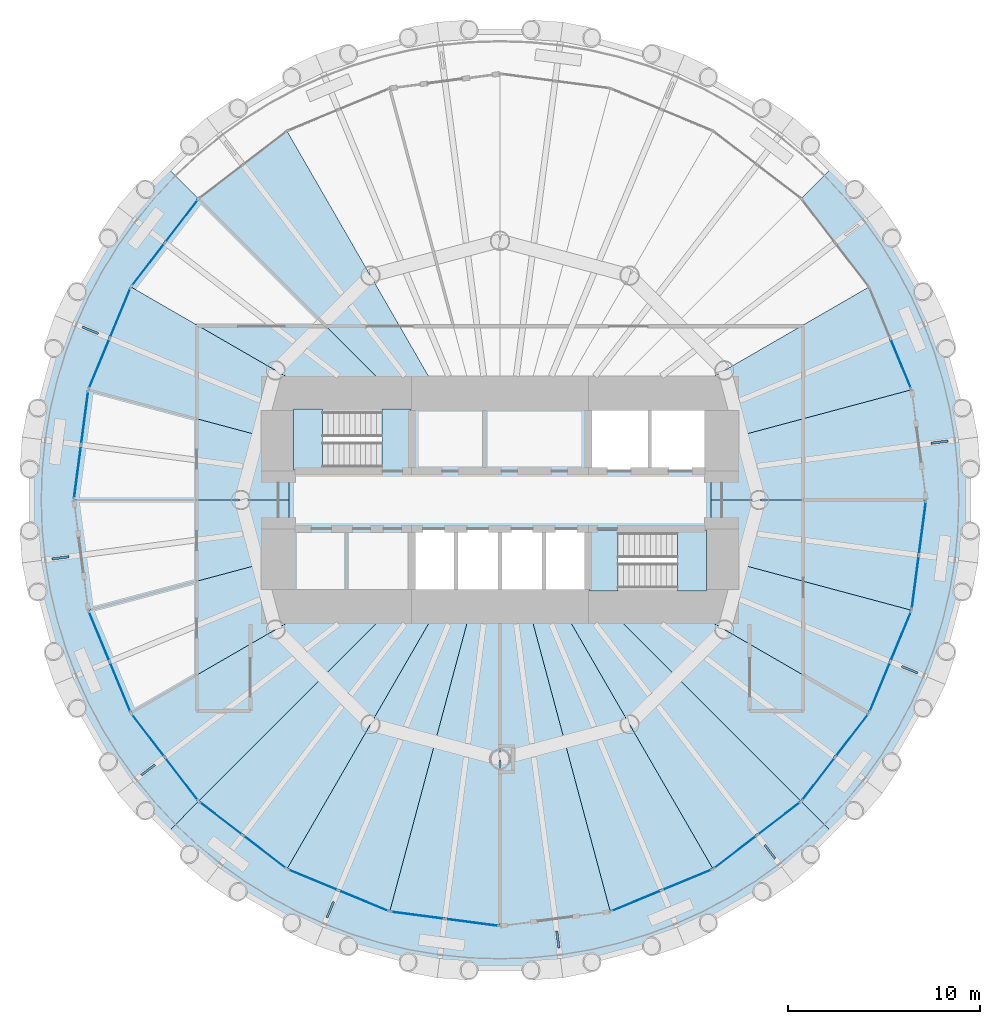
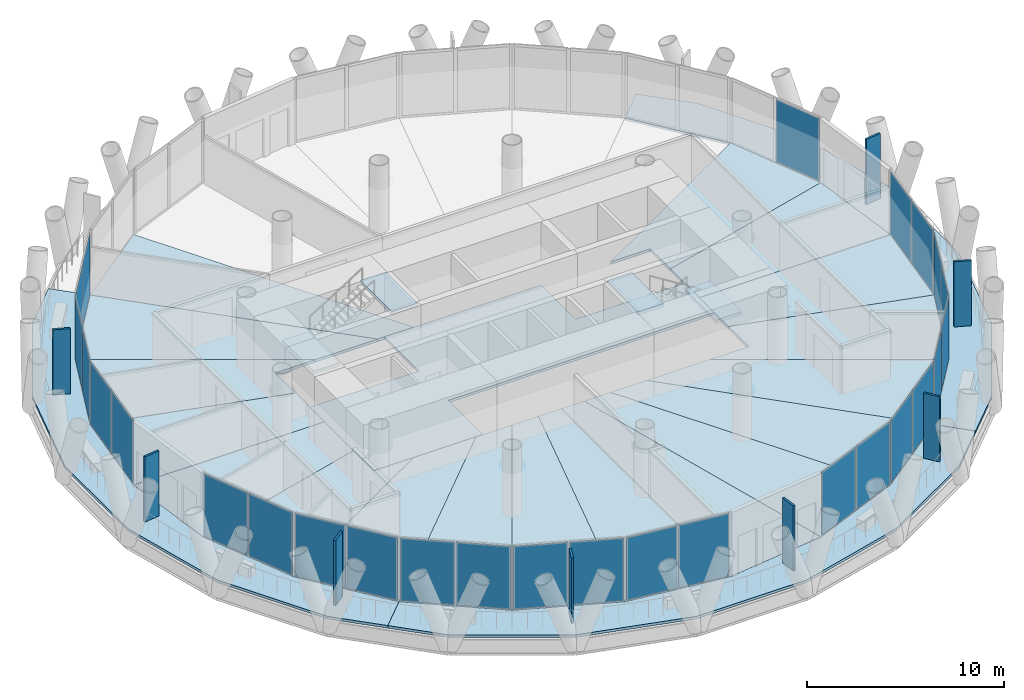
# One storey, part 7 of 14: 35 plates, 26 slabs, 16 elements without a shape of their own.
"""IFC4 building model written with IfcOpenShell, lengths in metres."""

from ifc_helpers import new_model, si_unit, direction, frame, origin, origin_2d, place, context, subcontext, project, spatial, polyline, rectangle, outline, extrude, material, layer, layer_set, type_object, element, aggregate, save


model = new_model("IFC4")

# Units and contexts
model_context = context("Model", 3, precision=1e-05, world=origin(), true_north=direction((0.0, 1.0)))
body_context = subcontext(model_context, "Body", "Model", "MODEL_VIEW")
ifc_project = project(units=[si_unit("LENGTHUNIT", "METRE"), si_unit("AREAUNIT", "SQUARE_METRE"), si_unit("VOLUMEUNIT", "CUBIC_METRE"), si_unit("PLANEANGLEUNIT", "RADIAN"), si_unit("MASSUNIT", "GRAM", prefix="KILO")], contexts=[model_context])

# Site, building, storey
site_placement = place(None, origin())
site = spatial("IfcSite", under=ifc_project, at=site_placement, CompositionType="ELEMENT")
building_placement = place(site_placement, origin())
building = spatial("IfcBuilding", under=site, at=building_placement, Name="Qaws Media Tower", CompositionType="ELEMENT")
storey_placement = place(building_placement, frame((0.0, 0.0, 168.800048828125)))
storey = spatial("IfcBuildingStorey", under=building, at=storey_placement, Name="L38", CompositionType="ELEMENT", Elevation=168.800048828125)

# Slabs
ifc_material_1 = material(Name="Concrete C35/45", Category="concrete")
ifc_layer_1 = layer(ifc_material_1, 0.159912109375)
ifc_layer_set_1 = layer_set([ifc_layer_1], Name="Composite balcony slab 160")
slab_type_1 = type_object("IfcSlabType", Name="Composite balcony slab 160", PredefinedType="FLOOR", material=ifc_layer_set_1)
slab_1_placement = place(storey_placement, frame((0.0, 0.0, -0.16015625)))
element("IfcSlab", 1, at=slab_1_placement, inside=storey, type_object=slab_type_1, Name="S2 balcony slab L38 R10 to R16, movement joints on R10 and R16", PredefinedType="FLOOR", context=body_context, shape_type="SweptSolid", body=[
    extrude(outline(polyline([(40.4833984375, 35.0244140625), (37.272705078125, 40.5859375), (35.610595703125, 46.7890625), (35.610595703125, 53.2109375), (37.272705078125, 59.4140625), (40.4833984375, 64.9755859375), (42.75390625, 67.24609375), (44.30224609375, 65.69775390625), (40.774169921875, 61.10009765625), (38.556396484375, 55.745849609375), (37.800048828125, 50.0), (38.556396484375, 44.254150390625), (40.774169921875, 38.89990234375), (44.30224609375, 34.30224609375), (42.75390625, 32.75390625), (40.4833984375, 35.0244140625)])), origin(), (0.0, 0.0, 1.0), 0.16015625),
])
slab_2_placement = place(storey_placement, frame((0.0, 0.0, -0.16015625)))
element("IfcSlab", 2, at=slab_2_placement, inside=storey, type_object=slab_type_1, Name="S2 balcony slab L38 R16 to R22, movement joints on R16 and R22", PredefinedType="FLOOR", context=body_context, shape_type="SweptSolid", body=[
    extrude(outline(polyline([(74.9755859375, 30.4833984375), (69.4140625, 27.272705078125), (63.2109375, 25.610595703125), (56.7890625, 25.610595703125), (50.5859375, 27.272705078125), (45.0244140625, 30.4833984375), (42.75390625, 32.75390625), (44.30224609375, 34.30224609375), (48.89990234375, 30.774169921875), (54.254150390625, 28.556396484375), (60.0, 27.800048828125), (65.745849609375, 28.556396484375), (71.10009765625, 30.774169921875), (75.69775390625, 34.30224609375), (77.24609375, 32.75390625), (74.9755859375, 30.4833984375)])), origin(), (0.0, 0.0, 1.0), 0.16015625),
])
slab_3_placement = place(storey_placement, frame((0.0, 0.0, -0.16015625)))
element("IfcSlab", 3, at=slab_3_placement, inside=storey, type_object=slab_type_1, Name="S2 balcony slab L38 R22 to R04, movement joints on R22 and R04", PredefinedType="FLOOR", context=body_context, shape_type="SweptSolid", body=[
    extrude(outline(polyline([(82.727294921875, 40.5859375), (79.5166015625, 35.0244140625), (77.24609375, 32.75390625), (75.69775390625, 34.30224609375), (79.225830078125, 38.89990234375), (81.443603515625, 44.254150390625), (82.199951171875, 50.0), (81.443603515625, 55.745849609375), (79.225830078125, 61.10009765625), (75.69775390625, 65.69775390625), (77.24609375, 67.24609375), (79.5166015625, 64.9755859375), (82.727294921875, 59.4140625), (84.389404296875, 53.2109375), (84.389404296875, 46.7890625), (82.727294921875, 40.5859375)])), origin(), (0.0, 0.0, 1.0), 0.16015625),
])
ifc_material_2 = material(Name="Concrete C35/45", Category="concrete")
ifc_layer_2 = layer(ifc_material_2, 0.159912109375)
ifc_layer_set_2 = layer_set([ifc_layer_2], Name="Composite floor slab 160")
slab_type_2 = type_object("IfcSlabType", Name="Composite floor slab 160", PredefinedType="FLOOR", material=ifc_layer_set_2)
slab_4_placement = place(storey_placement, frame((0.0, 0.0, -0.16015625)))
element("IfcSlab", 4, at=slab_4_placement, inside=storey, type_object=slab_type_2, Name="S1 core floor slab L38", PredefinedType="FLOOR", context=body_context, shape_type="SweptSolid", body=[
    extrude(outline(polyline([(71.0, 51.5), (71.0, 48.5), (55.39990234375, 48.5), (55.39990234375, 45.0), (49.0, 45.0), (49.0, 51.5), (55.39990234375, 51.5), (55.39990234375, 55.0), (64.60009765625, 55.0), (64.60009765625, 51.5), (71.0, 51.5)])), origin(), (0.0, 0.0, 1.0), 0.16015625),
])
slab_5_placement = place(storey_placement, frame((0.0, 0.0, -0.16015625)))
element("IfcSlab", 5, at=slab_5_placement, inside=storey, type_object=slab_type_2, Name="S1 floor panel L38 on R01+7.5", PredefinedType="FLOOR", context=body_context, shape_type="SweptSolid", body=[
    extrude(outline(polyline([(82.199951171875, 50.0), (71.0, 50.0), (71.0, 52.947509765625), (81.443603515625, 55.745849609375), (82.199951171875, 50.0)])), origin(), (0.0, 0.0, 1.0), 0.16015625),
])
slab_6_placement = place(storey_placement, frame((0.0, 0.0, -0.16015625)))
element("IfcSlab", 6, at=slab_6_placement, inside=storey, type_object=slab_type_2, Name="S1 floor panel L38 on R02+7.5", PredefinedType="FLOOR", context=body_context, shape_type="SweptSolid", body=[
    extrude(outline(polyline([(79.225830078125, 61.10009765625), (81.443603515625, 55.745849609375), (71.0, 52.947509765625), (71.0, 55.0), (68.660400390625, 55.0), (79.225830078125, 61.10009765625)])), origin(), (0.0, 0.0, 1.0), 0.16015625),
])
slab_7_placement = place(storey_placement, frame((0.0, 0.0, -0.16015625)))
element("IfcSlab", 7, at=slab_7_placement, inside=storey, type_object=slab_type_2, Name="S1 floor panel L38 on R09+7.5", PredefinedType="FLOOR", context=body_context, shape_type="SweptSolid", body=[
    extrude(outline(polyline([(48.89990234375, 69.225830078125), (57.11328125, 55.0), (55.0, 55.0), (44.30224609375, 65.69775390625), (48.89990234375, 69.225830078125)])), origin(), (0.0, 0.0, 1.0), 0.16015625),
])
slab_8_placement = place(storey_placement, frame((0.0, 0.0, -0.16015625)))
element("IfcSlab", 8, at=slab_8_placement, inside=storey, type_object=slab_type_2, Name="S1 floor panel L38 on R10+7.5", PredefinedType="FLOOR", context=body_context, shape_type="SweptSolid", body=[
    extrude(outline(polyline([(44.30224609375, 65.69775390625), (55.0, 55.0), (51.339599609375, 55.0), (40.774169921875, 61.10009765625), (44.30224609375, 65.69775390625)])), origin(), (0.0, 0.0, 1.0), 0.16015625),
])
slab_9_placement = place(storey_placement, frame((0.0, 0.0, -0.16015625)))
element("IfcSlab", 9, at=slab_9_placement, inside=storey, type_object=slab_type_2, Name="S1 floor panel L38 on R11+7.5", PredefinedType="FLOOR", context=body_context, shape_type="SweptSolid", body=[
    extrude(outline(polyline([(38.556396484375, 55.745849609375), (40.774169921875, 61.10009765625), (51.339599609375, 55.0), (49.0, 55.0), (49.0, 52.947509765625), (38.556396484375, 55.745849609375)])), origin(), (0.0, 0.0, 1.0), 0.16015625),
])
slab_10_placement = place(storey_placement, frame((0.0, 0.0, -0.16015625)))
element("IfcSlab", 10, at=slab_10_placement, inside=storey, type_object=slab_type_2, Name="S1 floor panel L38 on R12+7.5", PredefinedType="FLOOR", context=body_context, shape_type="SweptSolid", body=[
    extrude(outline(polyline([(38.556396484375, 55.745849609375), (49.0, 52.947509765625), (49.0, 50.0), (37.800048828125, 50.0), (38.556396484375, 55.745849609375)])), origin(), (0.0, 0.0, 1.0), 0.16015625),
])
slab_11_placement = place(storey_placement, frame((0.0, 0.0, -0.16015625)))
element("IfcSlab", 11, at=slab_11_placement, inside=storey, type_object=slab_type_2, Name="S1 floor panel L38 on R13+7.5", PredefinedType="FLOOR", context=body_context, shape_type="SweptSolid", body=[
    extrude(outline(polyline([(37.800048828125, 50.0), (49.0, 50.0), (49.0, 47.052490234375), (38.556396484375, 44.254150390625), (37.800048828125, 50.0)])), origin(), (0.0, 0.0, 1.0), 0.16015625),
])
slab_12_placement = place(storey_placement, frame((0.0, 0.0, -0.16015625)))
element("IfcSlab", 12, at=slab_12_placement, inside=storey, type_object=slab_type_2, Name="S1 floor panel L38 on R14+7.5", PredefinedType="FLOOR", context=body_context, shape_type="SweptSolid", body=[
    extrude(outline(polyline([(40.774169921875, 38.89990234375), (38.556396484375, 44.254150390625), (49.0, 47.052490234375), (49.0, 45.0), (51.339599609375, 45.0), (40.774169921875, 38.89990234375)])), origin(), (0.0, 0.0, 1.0), 0.16015625),
])
slab_13_placement = place(storey_placement, frame((0.0, 0.0, -0.16015625)))
element("IfcSlab", 13, at=slab_13_placement, inside=storey, type_object=slab_type_2, Name="S1 floor panel L38 on R15+7.5", PredefinedType="FLOOR", context=body_context, shape_type="SweptSolid", body=[
    extrude(outline(polyline([(40.774169921875, 38.89990234375), (51.339599609375, 45.0), (55.0, 45.0), (44.30224609375, 34.30224609375), (40.774169921875, 38.89990234375)])), origin(), (0.0, 0.0, 1.0), 0.16015625),
])
slab_14_placement = place(storey_placement, frame((0.0, 0.0, -0.16015625)))
element("IfcSlab", 14, at=slab_14_placement, inside=storey, type_object=slab_type_2, Name="S1 floor panel L38 on R16+7.5", PredefinedType="FLOOR", context=body_context, shape_type="SweptSolid", body=[
    extrude(outline(polyline([(44.30224609375, 34.30224609375), (55.0, 45.0), (57.11328125, 45.0), (48.89990234375, 30.774169921875), (44.30224609375, 34.30224609375)])), origin(), (0.0, 0.0, 1.0), 0.16015625),
])
slab_15_placement = place(storey_placement, frame((0.0, 0.0, -0.16015625)))
element("IfcSlab", 15, at=slab_15_placement, inside=storey, type_object=slab_type_2, Name="S1 floor panel L38 on R17+7.5", PredefinedType="FLOOR", context=body_context, shape_type="SweptSolid", body=[
    extrude(outline(polyline([(54.254150390625, 28.556396484375), (48.89990234375, 30.774169921875), (57.11328125, 45.0), (58.660400390625, 45.0), (54.254150390625, 28.556396484375)])), origin(), (0.0, 0.0, 1.0), 0.16015625),
])
slab_16_placement = place(storey_placement, frame((0.0, 0.0, -0.16015625)))
element("IfcSlab", 16, at=slab_16_placement, inside=storey, type_object=slab_type_2, Name="S1 floor panel L38 on R18+7.5", PredefinedType="FLOOR", context=body_context, shape_type="SweptSolid", body=[
    extrude(outline(polyline([(54.254150390625, 28.556396484375), (58.660400390625, 45.0), (60.0, 45.0), (60.0, 27.800048828125), (54.254150390625, 28.556396484375)])), origin(), (0.0, 0.0, 1.0), 0.16015625),
])
slab_17_placement = place(storey_placement, frame((0.0, 0.0, -0.16015625)))
element("IfcSlab", 17, at=slab_17_placement, inside=storey, type_object=slab_type_2, Name="S1 floor panel L38 on R19+7.5", PredefinedType="FLOOR", context=body_context, shape_type="SweptSolid", body=[
    extrude(outline(polyline([(60.0, 27.800048828125), (60.0, 45.0), (61.339599609375, 45.0), (65.745849609375, 28.556396484375), (60.0, 27.800048828125)])), origin(), (0.0, 0.0, 1.0), 0.16015625),
])
slab_18_placement = place(storey_placement, frame((0.0, 0.0, -0.16015625)))
element("IfcSlab", 18, at=slab_18_placement, inside=storey, type_object=slab_type_2, Name="S1 floor panel L38 on R20+7.5", PredefinedType="FLOOR", context=body_context, shape_type="SweptSolid", body=[
    extrude(outline(polyline([(71.10009765625, 30.774169921875), (65.745849609375, 28.556396484375), (61.339599609375, 45.0), (62.88671875, 45.0), (71.10009765625, 30.774169921875)])), origin(), (0.0, 0.0, 1.0), 0.16015625),
])
slab_19_placement = place(storey_placement, frame((0.0, 0.0, -0.16015625)))
element("IfcSlab", 19, at=slab_19_placement, inside=storey, type_object=slab_type_2, Name="S1 floor panel L38 on R21+7.5", PredefinedType="FLOOR", context=body_context, shape_type="SweptSolid", body=[
    extrude(outline(polyline([(71.10009765625, 30.774169921875), (62.88671875, 45.0), (65.0, 45.0), (75.69775390625, 34.30224609375), (71.10009765625, 30.774169921875)])), origin(), (0.0, 0.0, 1.0), 0.16015625),
])
slab_20_placement = place(storey_placement, frame((0.0, 0.0, -0.16015625)))
element("IfcSlab", 20, at=slab_20_placement, inside=storey, type_object=slab_type_2, Name="S1 floor panel L38 on R22+7.5", PredefinedType="FLOOR", context=body_context, shape_type="SweptSolid", body=[
    extrude(outline(polyline([(75.69775390625, 34.30224609375), (65.0, 45.0), (68.660400390625, 45.0), (79.225830078125, 38.89990234375), (75.69775390625, 34.30224609375)])), origin(), (0.0, 0.0, 1.0), 0.16015625),
])
slab_21_placement = place(storey_placement, frame((0.0, 0.0, -0.16015625)))
element("IfcSlab", 21, at=slab_21_placement, inside=storey, type_object=slab_type_2, Name="S1 floor panel L38 on R23+7.5", PredefinedType="FLOOR", context=body_context, shape_type="SweptSolid", body=[
    extrude(outline(polyline([(81.443603515625, 44.254150390625), (79.225830078125, 38.89990234375), (68.660400390625, 45.0), (71.0, 45.0), (71.0, 47.052490234375), (81.443603515625, 44.254150390625)])), origin(), (0.0, 0.0, 1.0), 0.16015625),
])
slab_22_placement = place(storey_placement, frame((0.0, 0.0, -0.16015625)))
element("IfcSlab", 22, at=slab_22_placement, inside=storey, type_object=slab_type_2, Name="S1 floor panel L38 on R24+7.5", PredefinedType="FLOOR", context=body_context, shape_type="SweptSolid", body=[
    extrude(outline(polyline([(81.443603515625, 44.254150390625), (71.0, 47.052490234375), (71.0, 50.0), (82.199951171875, 50.0), (81.443603515625, 44.254150390625)])), origin(), (0.0, 0.0, 1.0), 0.16015625),
])

# Curtain wall, plate
ifc_material_3 = material(Name="Aluminium and clear glass", Category="aluminium")
curtain_wall_type = type_object("IfcCurtainWallType", Name="Unitised curtain wall CW-B", PredefinedType="NOTDEFINED", material=ifc_material_3)
curtain_wall_1_placement = place(storey_placement, origin())
curtain_wall_1 = element("IfcCurtainWall", 23, at=curtain_wall_1_placement, inside=storey, type_object=curtain_wall_type, Name="CWB curtain wall L38-02", PredefinedType="NOTDEFINED")
ifc_material_4 = material(Name="Clear laminated double glazing", Category="glass")
ifc_layer_3 = layer(ifc_material_4, 0.031982421875)
ifc_layer_set_3 = layer_set([ifc_layer_3], Name="Curtain wall glass unit 32")
plate_type_1 = type_object("IfcPlateType", Name="Curtain wall glass unit 32", PredefinedType="CURTAIN_PANEL", material=ifc_layer_set_3)
plate_1_placement = place(storey_placement, frame((80.88134765625, 57.102783203125, 0.080078125), z_axis=(0.0, 0.0, 1.0), x_axis=(-0.382683388586, 0.923879550645, 0.0)))
plate_1 = element("IfcPlate", 24, at=plate_1_placement, type_object=plate_type_1, Name="CWB panel 1.1", PredefinedType="CURTAIN_PANEL", context=body_context, shape_type="SweptSolid", body=[
    extrude(rectangle(XDim=2.777587890625, YDim=0.031982421875, at=origin_2d()), origin(), (0.0, 0.0, 1.0), 3.8798828125),
])
aggregate(curtain_wall_1, [plate_1])

# Curtain wall, plates
curtain_wall_2_placement = place(storey_placement, origin())
curtain_wall_2 = element("IfcCurtainWall", 25, at=curtain_wall_2_placement, inside=storey, type_object=curtain_wall_type, Name="CWB curtain wall L38-10", PredefinedType="NOTDEFINED")
plate_2_placement = place(storey_placement, frame((43.407958984375, 64.532470703125, 0.080078125), z_axis=(0.0, 0.0, 1.0), x_axis=(-0.60876134507, -0.793353404699, 0.0)))
plate_2 = element("IfcPlate", 26, at=plate_2_placement, type_object=plate_type_1, Name="CWB panel 1.1", PredefinedType="CURTAIN_PANEL", context=body_context, shape_type="SweptSolid", body=[
    extrude(rectangle(XDim=2.777587890625, YDim=0.031982421875, at=origin_2d()), origin(), (0.0, 0.0, 1.0), 3.8798828125),
])
plate_3_placement = place(storey_placement, frame((41.66845703125, 62.265380859375, 0.080078125), z_axis=(0.0, 0.0, 1.0), x_axis=(-0.60876134507, -0.793353404699, 0.0)))
plate_3 = element("IfcPlate", 27, at=plate_3_placement, type_object=plate_type_1, Name="CWB panel 2.1", PredefinedType="CURTAIN_PANEL", context=body_context, shape_type="SweptSolid", body=[
    extrude(rectangle(XDim=2.777587890625, YDim=0.031982421875, at=origin_2d()), origin(), (0.0, 0.0, 1.0), 3.8798828125),
])
aggregate(curtain_wall_2, [plate_2, plate_3])

curtain_wall_3_placement = place(storey_placement, origin())
curtain_wall_3 = element("IfcCurtainWall", 28, at=curtain_wall_3_placement, inside=storey, type_object=curtain_wall_type, Name="CWB curtain wall L38-11", PredefinedType="NOTDEFINED")
plate_4_placement = place(storey_placement, frame((40.212158203125, 59.742919921875, 0.080078125), z_axis=(0.0, 0.0, 1.0), x_axis=(-0.382683388586, -0.923879550645, 0.0)))
plate_4 = element("IfcPlate", 29, at=plate_4_placement, type_object=plate_type_1, Name="CWB panel 1.1", PredefinedType="CURTAIN_PANEL", context=body_context, shape_type="SweptSolid", body=[
    extrude(rectangle(XDim=2.777587890625, YDim=0.031982421875, at=origin_2d()), origin(), (0.0, 0.0, 1.0), 3.8798828125),
])
plate_5_placement = place(storey_placement, frame((39.11865234375, 57.102783203125, 0.080078125), z_axis=(0.0, 0.0, 1.0), x_axis=(-0.382683388586, -0.923879550645, 0.0)))
plate_5 = element("IfcPlate", 30, at=plate_5_placement, type_object=plate_type_1, Name="CWB panel 2.1", PredefinedType="CURTAIN_PANEL", context=body_context, shape_type="SweptSolid", body=[
    extrude(rectangle(XDim=2.777587890625, YDim=0.031982421875, at=origin_2d()), origin(), (0.0, 0.0, 1.0), 3.8798828125),
])
aggregate(curtain_wall_3, [plate_4, plate_5])

curtain_wall_4_placement = place(storey_placement, origin())
curtain_wall_4 = element("IfcCurtainWall", 31, at=curtain_wall_4_placement, inside=storey, type_object=curtain_wall_type, Name="CWB curtain wall L38-12", PredefinedType="NOTDEFINED")
plate_6_placement = place(storey_placement, frame((38.36474609375, 54.28955078125, 0.080078125), z_axis=(0.0, 0.0, 1.0), x_axis=(-0.13052624607, -0.991444854284, 0.0)))
plate_6 = element("IfcPlate", 32, at=plate_6_placement, type_object=plate_type_1, Name="CWB panel 1.1", PredefinedType="CURTAIN_PANEL", context=body_context, shape_type="SweptSolid", body=[
    extrude(rectangle(XDim=2.777587890625, YDim=0.031982421875, at=origin_2d()), origin(), (0.0, 0.0, 1.0), 3.8798828125),
])
plate_7_placement = place(storey_placement, frame((37.99169921875, 51.456298828125, 0.080078125), z_axis=(0.0, 0.0, 1.0), x_axis=(-0.13052624607, -0.991444854284, 0.0)))
plate_7 = element("IfcPlate", 33, at=plate_7_placement, type_object=plate_type_1, Name="CWB panel 2.1", PredefinedType="CURTAIN_PANEL", context=body_context, shape_type="SweptSolid", body=[
    extrude(rectangle(XDim=2.777587890625, YDim=0.031982421875, at=origin_2d()), origin(), (0.0, 0.0, 1.0), 3.8798828125),
])
aggregate(curtain_wall_4, [plate_6, plate_7])

curtain_wall_5_placement = place(storey_placement, origin())
curtain_wall_5 = element("IfcCurtainWall", 34, at=curtain_wall_5_placement, inside=storey, type_object=curtain_wall_type, Name="CWB curtain wall L38-14", PredefinedType="NOTDEFINED")
plate_8_placement = place(storey_placement, frame((39.11865234375, 42.897216796875, 0.080078125), z_axis=(0.0, 0.0, 1.0), x_axis=(0.382683388586, -0.923879550645, 0.0)))
plate_8 = element("IfcPlate", 35, at=plate_8_placement, type_object=plate_type_1, Name="CWB panel 1.1", PredefinedType="CURTAIN_PANEL", context=body_context, shape_type="SweptSolid", body=[
    extrude(rectangle(XDim=2.777587890625, YDim=0.031982421875, at=origin_2d()), origin(), (0.0, 0.0, 1.0), 3.8798828125),
])
plate_9_placement = place(storey_placement, frame((40.212158203125, 40.257080078125, 0.080078125), z_axis=(0.0, 0.0, 1.0), x_axis=(0.382683388586, -0.923879550645, 0.0)))
plate_9 = element("IfcPlate", 36, at=plate_9_placement, type_object=plate_type_1, Name="CWB panel 2.1", PredefinedType="CURTAIN_PANEL", context=body_context, shape_type="SweptSolid", body=[
    extrude(rectangle(XDim=2.777587890625, YDim=0.031982421875, at=origin_2d()), origin(), (0.0, 0.0, 1.0), 3.8798828125),
])
aggregate(curtain_wall_5, [plate_8, plate_9])

curtain_wall_6_placement = place(storey_placement, origin())
curtain_wall_6 = element("IfcCurtainWall", 37, at=curtain_wall_6_placement, inside=storey, type_object=curtain_wall_type, Name="CWB curtain wall L38-15", PredefinedType="NOTDEFINED")
plate_10_placement = place(storey_placement, frame((41.66845703125, 37.734619140625, 0.080078125), z_axis=(0.0, 0.0, 1.0), x_axis=(0.60876134507, -0.793353404699, 0.0)))
plate_10 = element("IfcPlate", 38, at=plate_10_placement, type_object=plate_type_1, Name="CWB panel 1.1", PredefinedType="CURTAIN_PANEL", context=body_context, shape_type="SweptSolid", body=[
    extrude(rectangle(XDim=2.777587890625, YDim=0.031982421875, at=origin_2d()), origin(), (0.0, 0.0, 1.0), 3.8798828125),
])
plate_11_placement = place(storey_placement, frame((43.407958984375, 35.467529296875, 0.080078125), z_axis=(0.0, 0.0, 1.0), x_axis=(0.60876134507, -0.793353404699, 0.0)))
plate_11 = element("IfcPlate", 39, at=plate_11_placement, type_object=plate_type_1, Name="CWB panel 2.1", PredefinedType="CURTAIN_PANEL", context=body_context, shape_type="SweptSolid", body=[
    extrude(rectangle(XDim=2.777587890625, YDim=0.031982421875, at=origin_2d()), origin(), (0.0, 0.0, 1.0), 3.8798828125),
])
aggregate(curtain_wall_6, [plate_10, plate_11])

curtain_wall_7_placement = place(storey_placement, origin())
curtain_wall_7 = element("IfcCurtainWall", 40, at=curtain_wall_7_placement, inside=storey, type_object=curtain_wall_type, Name="CWB curtain wall L38-16", PredefinedType="NOTDEFINED")
plate_12_placement = place(storey_placement, frame((45.467529296875, 33.407958984375, 0.080078125), z_axis=(0.0, 0.0, 1.0), x_axis=(0.793353404699, -0.60876134507, 0.0)))
plate_12 = element("IfcPlate", 41, at=plate_12_placement, type_object=plate_type_1, Name="CWB panel 1.1", PredefinedType="CURTAIN_PANEL", context=body_context, shape_type="SweptSolid", body=[
    extrude(rectangle(XDim=2.777587890625, YDim=0.031982421875, at=origin_2d()), origin(), (0.0, 0.0, 1.0), 3.8798828125),
])
plate_13_placement = place(storey_placement, frame((47.734619140625, 31.66845703125, 0.080078125), z_axis=(0.0, 0.0, 1.0), x_axis=(0.793353404699, -0.60876134507, 0.0)))
plate_13 = element("IfcPlate", 42, at=plate_13_placement, type_object=plate_type_1, Name="CWB panel 2.1", PredefinedType="CURTAIN_PANEL", context=body_context, shape_type="SweptSolid", body=[
    extrude(rectangle(XDim=2.777587890625, YDim=0.031982421875, at=origin_2d()), origin(), (0.0, 0.0, 1.0), 3.8798828125),
])
aggregate(curtain_wall_7, [plate_12, plate_13])

curtain_wall_8_placement = place(storey_placement, origin())
curtain_wall_8 = element("IfcCurtainWall", 43, at=curtain_wall_8_placement, inside=storey, type_object=curtain_wall_type, Name="CWB curtain wall L38-17", PredefinedType="NOTDEFINED")
plate_14_placement = place(storey_placement, frame((50.257080078125, 30.212158203125, 0.080078125), z_axis=(0.0, 0.0, 1.0), x_axis=(0.923879550645, -0.382683388586, 0.0)))
plate_14 = element("IfcPlate", 44, at=plate_14_placement, type_object=plate_type_1, Name="CWB panel 1.1", PredefinedType="CURTAIN_PANEL", context=body_context, shape_type="SweptSolid", body=[
    extrude(rectangle(XDim=2.777587890625, YDim=0.031982421875, at=origin_2d()), origin(), (0.0, 0.0, 1.0), 3.8798828125),
])
plate_15_placement = place(storey_placement, frame((52.897216796875, 29.11865234375, 0.080078125), z_axis=(0.0, 0.0, 1.0), x_axis=(0.923879550645, -0.382683388586, 0.0)))
plate_15 = element("IfcPlate", 45, at=plate_15_placement, type_object=plate_type_1, Name="CWB panel 2.1", PredefinedType="CURTAIN_PANEL", context=body_context, shape_type="SweptSolid", body=[
    extrude(rectangle(XDim=2.777587890625, YDim=0.031982421875, at=origin_2d()), origin(), (0.0, 0.0, 1.0), 3.8798828125),
])
aggregate(curtain_wall_8, [plate_14, plate_15])

curtain_wall_9_placement = place(storey_placement, origin())
curtain_wall_9 = element("IfcCurtainWall", 46, at=curtain_wall_9_placement, inside=storey, type_object=curtain_wall_type, Name="CWB curtain wall L38-18", PredefinedType="NOTDEFINED")
plate_16_placement = place(storey_placement, frame((55.71044921875, 28.36474609375, 0.080078125), z_axis=(0.0, 0.0, 1.0), x_axis=(0.991444854284, -0.13052624607, 0.0)))
plate_16 = element("IfcPlate", 47, at=plate_16_placement, type_object=plate_type_1, Name="CWB panel 1.1", PredefinedType="CURTAIN_PANEL", context=body_context, shape_type="SweptSolid", body=[
    extrude(rectangle(XDim=2.777587890625, YDim=0.031982421875, at=origin_2d()), origin(), (0.0, 0.0, 1.0), 3.8798828125),
])
plate_17_placement = place(storey_placement, frame((58.543701171875, 27.99169921875, 0.080078125), z_axis=(0.0, 0.0, 1.0), x_axis=(0.991444854284, -0.13052624607, 0.0)))
plate_17 = element("IfcPlate", 48, at=plate_17_placement, type_object=plate_type_1, Name="CWB panel 2.1", PredefinedType="CURTAIN_PANEL", context=body_context, shape_type="SweptSolid", body=[
    extrude(rectangle(XDim=2.777587890625, YDim=0.031982421875, at=origin_2d()), origin(), (0.0, 0.0, 1.0), 3.8798828125),
])
aggregate(curtain_wall_9, [plate_16, plate_17])

curtain_wall_10_placement = place(storey_placement, origin())
curtain_wall_10 = element("IfcCurtainWall", 49, at=curtain_wall_10_placement, inside=storey, type_object=curtain_wall_type, Name="CWB curtain wall L38-20", PredefinedType="NOTDEFINED")
plate_18_placement = place(storey_placement, frame((67.102783203125, 29.11865234375, 0.080078125), z_axis=(0.0, 0.0, 1.0), x_axis=(0.923879550645, 0.382683388586, 0.0)))
plate_18 = element("IfcPlate", 50, at=plate_18_placement, type_object=plate_type_1, Name="CWB panel 1.1", PredefinedType="CURTAIN_PANEL", context=body_context, shape_type="SweptSolid", body=[
    extrude(rectangle(XDim=2.777587890625, YDim=0.031982421875, at=origin_2d()), origin(), (0.0, 0.0, 1.0), 3.8798828125),
])
plate_19_placement = place(storey_placement, frame((69.742919921875, 30.212158203125, 0.080078125), z_axis=(0.0, 0.0, 1.0), x_axis=(0.923879550645, 0.382683388586, 0.0)))
plate_19 = element("IfcPlate", 51, at=plate_19_placement, type_object=plate_type_1, Name="CWB panel 2.1", PredefinedType="CURTAIN_PANEL", context=body_context, shape_type="SweptSolid", body=[
    extrude(rectangle(XDim=2.777587890625, YDim=0.031982421875, at=origin_2d()), origin(), (0.0, 0.0, 1.0), 3.8798828125),
])
aggregate(curtain_wall_10, [plate_18, plate_19])

curtain_wall_11_placement = place(storey_placement, origin())
curtain_wall_11 = element("IfcCurtainWall", 52, at=curtain_wall_11_placement, inside=storey, type_object=curtain_wall_type, Name="CWB curtain wall L38-21", PredefinedType="NOTDEFINED")
plate_20_placement = place(storey_placement, frame((72.265380859375, 31.66845703125, 0.080078125), z_axis=(0.0, 0.0, 1.0), x_axis=(0.793353404699, 0.60876134507, 0.0)))
plate_20 = element("IfcPlate", 53, at=plate_20_placement, type_object=plate_type_1, Name="CWB panel 1.1", PredefinedType="CURTAIN_PANEL", context=body_context, shape_type="SweptSolid", body=[
    extrude(rectangle(XDim=2.777587890625, YDim=0.031982421875, at=origin_2d()), origin(), (0.0, 0.0, 1.0), 3.8798828125),
])
plate_21_placement = place(storey_placement, frame((74.532470703125, 33.407958984375, 0.080078125), z_axis=(0.0, 0.0, 1.0), x_axis=(0.793353404699, 0.60876134507, 0.0)))
plate_21 = element("IfcPlate", 54, at=plate_21_placement, type_object=plate_type_1, Name="CWB panel 2.1", PredefinedType="CURTAIN_PANEL", context=body_context, shape_type="SweptSolid", body=[
    extrude(rectangle(XDim=2.777587890625, YDim=0.031982421875, at=origin_2d()), origin(), (0.0, 0.0, 1.0), 3.8798828125),
])
aggregate(curtain_wall_11, [plate_20, plate_21])

curtain_wall_12_placement = place(storey_placement, origin())
curtain_wall_12 = element("IfcCurtainWall", 55, at=curtain_wall_12_placement, inside=storey, type_object=curtain_wall_type, Name="CWB curtain wall L38-22", PredefinedType="NOTDEFINED")
plate_22_placement = place(storey_placement, frame((76.592041015625, 35.467529296875, 0.080078125), z_axis=(0.0, 0.0, 1.0), x_axis=(0.60876134507, 0.793353404699, 0.0)))
plate_22 = element("IfcPlate", 56, at=plate_22_placement, type_object=plate_type_1, Name="CWB panel 1.1", PredefinedType="CURTAIN_PANEL", context=body_context, shape_type="SweptSolid", body=[
    extrude(rectangle(XDim=2.777587890625, YDim=0.031982421875, at=origin_2d()), origin(), (0.0, 0.0, 1.0), 3.8798828125),
])
plate_23_placement = place(storey_placement, frame((78.33154296875, 37.734619140625, 0.080078125), z_axis=(0.0, 0.0, 1.0), x_axis=(0.60876134507, 0.793353404699, 0.0)))
plate_23 = element("IfcPlate", 57, at=plate_23_placement, type_object=plate_type_1, Name="CWB panel 2.1", PredefinedType="CURTAIN_PANEL", context=body_context, shape_type="SweptSolid", body=[
    extrude(rectangle(XDim=2.777587890625, YDim=0.031982421875, at=origin_2d()), origin(), (0.0, 0.0, 1.0), 3.8798828125),
])
aggregate(curtain_wall_12, [plate_22, plate_23])

curtain_wall_13_placement = place(storey_placement, origin())
curtain_wall_13 = element("IfcCurtainWall", 58, at=curtain_wall_13_placement, inside=storey, type_object=curtain_wall_type, Name="CWB curtain wall L38-23", PredefinedType="NOTDEFINED")
plate_24_placement = place(storey_placement, frame((79.787841796875, 40.257080078125, 0.080078125), z_axis=(0.0, 0.0, 1.0), x_axis=(0.382683388586, 0.923879550645, 0.0)))
plate_24 = element("IfcPlate", 59, at=plate_24_placement, type_object=plate_type_1, Name="CWB panel 1.1", PredefinedType="CURTAIN_PANEL", context=body_context, shape_type="SweptSolid", body=[
    extrude(rectangle(XDim=2.777587890625, YDim=0.031982421875, at=origin_2d()), origin(), (0.0, 0.0, 1.0), 3.8798828125),
])
plate_25_placement = place(storey_placement, frame((80.88134765625, 42.897216796875, 0.080078125), z_axis=(0.0, 0.0, 1.0), x_axis=(0.382683388586, 0.923879550645, 0.0)))
plate_25 = element("IfcPlate", 60, at=plate_25_placement, type_object=plate_type_1, Name="CWB panel 2.1", PredefinedType="CURTAIN_PANEL", context=body_context, shape_type="SweptSolid", body=[
    extrude(rectangle(XDim=2.777587890625, YDim=0.031982421875, at=origin_2d()), origin(), (0.0, 0.0, 1.0), 3.8798828125),
])
aggregate(curtain_wall_13, [plate_24, plate_25])

curtain_wall_14_placement = place(storey_placement, origin())
curtain_wall_14 = element("IfcCurtainWall", 61, at=curtain_wall_14_placement, inside=storey, type_object=curtain_wall_type, Name="CWB curtain wall L38-24", PredefinedType="NOTDEFINED")
plate_26_placement = place(storey_placement, frame((81.63525390625, 45.71044921875, 0.080078125), z_axis=(0.0, 0.0, 1.0), x_axis=(0.13052624607, 0.991444854284, 0.0)))
plate_26 = element("IfcPlate", 62, at=plate_26_placement, type_object=plate_type_1, Name="CWB panel 1.1", PredefinedType="CURTAIN_PANEL", context=body_context, shape_type="SweptSolid", body=[
    extrude(rectangle(XDim=2.777587890625, YDim=0.031982421875, at=origin_2d()), origin(), (0.0, 0.0, 1.0), 3.8798828125),
])
plate_27_placement = place(storey_placement, frame((82.00830078125, 48.543701171875, 0.080078125), z_axis=(0.0, 0.0, 1.0), x_axis=(0.13052624607, 0.991444854284, 0.0)))
plate_27 = element("IfcPlate", 63, at=plate_27_placement, type_object=plate_type_1, Name="CWB panel 2.1", PredefinedType="CURTAIN_PANEL", context=body_context, shape_type="SweptSolid", body=[
    extrude(rectangle(XDim=2.777587890625, YDim=0.031982421875, at=origin_2d()), origin(), (0.0, 0.0, 1.0), 3.8798828125),
])
aggregate(curtain_wall_14, [plate_26, plate_27])

# Plates
ifc_material_5 = material(Name="Precast concrete screen fin", Category="concrete")
ifc_layer_4 = layer(ifc_material_5, 0.1201171875)
ifc_layer_set_4 = layer_set([ifc_layer_4], Name="Screen fin 120x900")
plate_type_2 = type_object("IfcPlateType", Name="Screen fin 120x900", PredefinedType="USERDEFINED", material=ifc_layer_set_4)
for number, where, z_axis, x_axis, name in (
    (64, (82.90234375, 53.01513671875, 0.0), (0.0, 0.0, 1.0), (0.991444861374, 0.13052619222, 0.0), "SCR1 screen fin L38-01"),
    (65, (38.658447265625, 58.840087890625, 0.0), (0.0, 0.0, 1.0), (-0.923879532511, 0.382683432365, 0.0), "SCR1 screen fin L38-06"),
    (66, (37.09765625, 46.98486328125, 0.0), (0.0, 0.0, 1.0), (-0.991444861374, -0.13052619222, 0.0), "SCR1 screen fin L38-07"),
    (67, (41.673583984375, 35.9375, 0.0), (0.0, 0.0, 1.0), (-0.793353340291, -0.608761429009, 0.0), "SCR1 screen fin L38-08"),
    (68, (51.159912109375, 28.658447265625, 0.0), (0.0, 0.0, 1.0), (-0.382683432365, -0.923879532511, 0.0), "SCR1 screen fin L38-09"),
    (69, (63.01513671875, 27.09765625, 0.0), (0.0, 0.0, 1.0), (0.13052619222, -0.991444861374, 0.0), "SCR1 screen fin L38-10"),
    (70, (74.0625, 31.673583984375, 0.0), (0.0, 0.0, 1.0), (0.608761429009, -0.793353340291, 0.0), "SCR1 screen fin L38-11"),
    (71, (81.341552734375, 41.159912109375, 0.0), (0.0, 0.0, 1.0), (0.923879532511, -0.382683432365, 0.0), "SCR1 screen fin L38-12"),
):
    element("IfcPlate", number, at=place(storey_placement, frame(where, z_axis=z_axis, x_axis=x_axis)), inside=storey, type_object=plate_type_2, Name=name, ObjectType="SCREEN", PredefinedType="USERDEFINED", context=body_context, shape_type="SweptSolid", body=[
        extrude(rectangle(XDim=0.89990234375, YDim=0.1201171875, at=origin_2d()), origin(), (0.0, 0.0, 1.0), 4.0400390625),
    ])

# Stair, slabs
ifc_material_6 = material(Name="Concrete C40/50", Category="concrete")
stair_type = type_object("IfcStairType", Name="Exit stair", PredefinedType="HALF_TURN_STAIR", material=ifc_material_6)
stair_1_placement = place(storey_placement, origin())
stair_1 = element("IfcStair", 72, at=stair_1_placement, inside=storey, type_object=stair_type, Name="S1 exit stair L38", PredefinedType="HALF_TURN_STAIR")
ifc_material_7 = material(Name="Concrete C40/50", Category="concrete")
ifc_layer_5 = layer(ifc_material_7, 0.199951171875)
ifc_layer_set_5 = layer_set([ifc_layer_5], Name="Stair landing 200")
slab_type_3 = type_object("IfcSlabType", Name="Stair landing 200", PredefinedType="LANDING", material=ifc_layer_set_5)
slab_23_placement = place(storey_placement, frame((0.0, 0.0, 1.89990234375)))
slab_23 = element("IfcSlab", 73, at=slab_23_placement, type_object=slab_type_3, Name="S1 landing 1", PredefinedType="LANDING", context=body_context, shape_type="SweptSolid", body=[
    extrude(outline(polyline([(49.25, 51.550048828125), (50.760009765625, 51.550048828125), (50.760009765625, 54.75), (49.25, 54.75), (49.25, 51.550048828125)])), origin(), (0.0, 0.0, 1.0), 0.199951171875),
])
slab_24_placement = place(storey_placement, frame((0.0, 0.0, 4.0)))
slab_24 = element("IfcSlab", 74, at=slab_24_placement, type_object=slab_type_3, Name="S1 landing 2", PredefinedType="LANDING", context=body_context, shape_type="SweptSolid", body=[
    extrude(outline(polyline([(53.840087890625, 51.550048828125), (55.35009765625, 51.550048828125), (55.35009765625, 54.75), (53.840087890625, 54.75), (53.840087890625, 51.550048828125)])), origin(), (0.0, 0.0, 1.0), 0.199951171875),
])
aggregate(stair_1, [slab_23, slab_24])

stair_2_placement = place(storey_placement, origin())
stair_2 = element("IfcStair", 75, at=stair_2_placement, inside=storey, type_object=stair_type, Name="S2 exit stair L38", PredefinedType="HALF_TURN_STAIR")
slab_25_placement = place(storey_placement, frame((0.0, 0.0, 1.89990234375)))
slab_25 = element("IfcSlab", 76, at=slab_25_placement, type_object=slab_type_3, Name="S2 landing 1", PredefinedType="LANDING", context=body_context, shape_type="SweptSolid", body=[
    extrude(outline(polyline([(69.239990234375, 45.25), (70.75, 45.25), (70.75, 48.449951171875), (69.239990234375, 48.449951171875), (69.239990234375, 45.25)])), origin(), (0.0, 0.0, 1.0), 0.199951171875),
])
slab_26_placement = place(storey_placement, frame((0.0, 0.0, 4.0)))
slab_26 = element("IfcSlab", 77, at=slab_26_placement, type_object=slab_type_3, Name="S2 landing 2", PredefinedType="LANDING", context=body_context, shape_type="SweptSolid", body=[
    extrude(outline(polyline([(64.64990234375, 45.25), (66.159912109375, 45.25), (66.159912109375, 48.449951171875), (64.64990234375, 48.449951171875), (64.64990234375, 45.25)])), origin(), (0.0, 0.0, 1.0), 0.199951171875),
])
aggregate(stair_2, [slab_25, slab_26])

save(model, "model.ifc")
